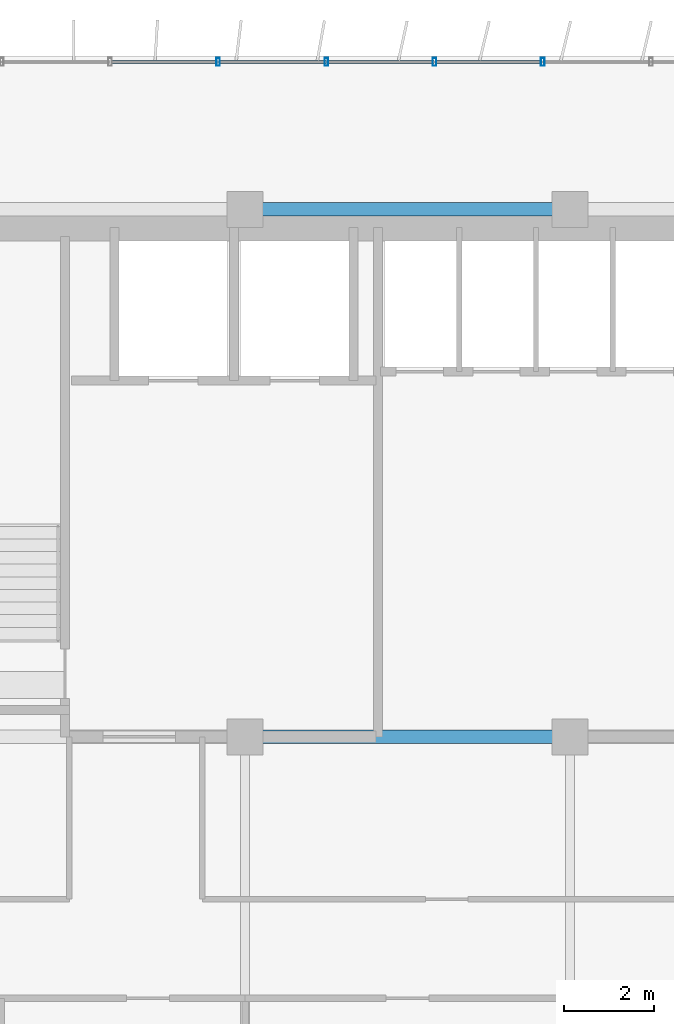
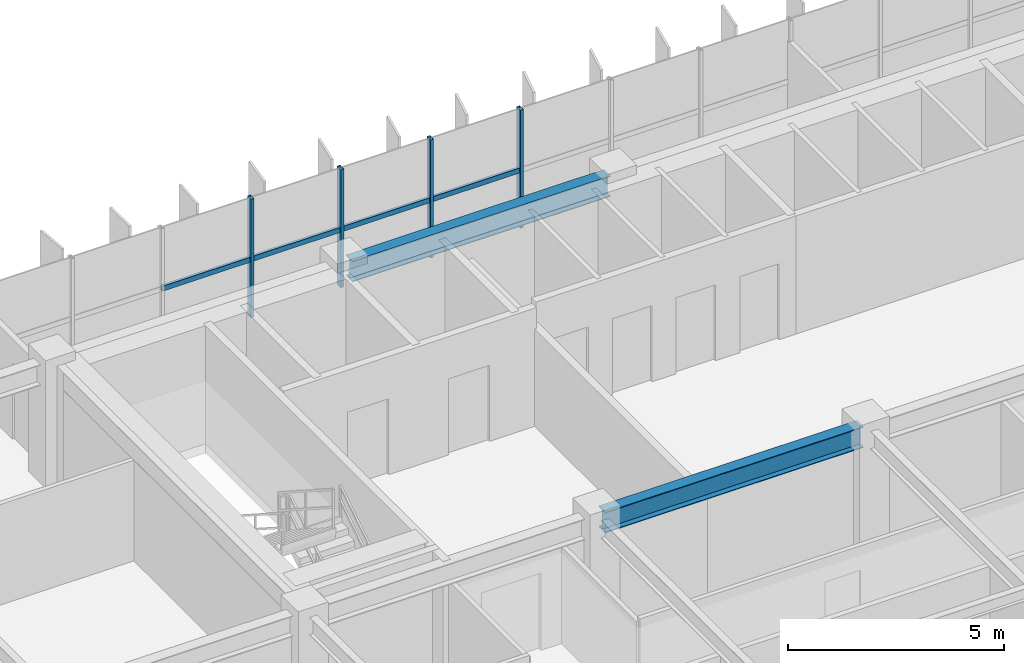
# One storey, part 6 of 22: 8 members, 2 beams, 1 element without a shape of its own.
"""IFC4 building model written with IfcOpenShell, lengths in metres."""

from ifc_helpers import new_model, si_unit, direction, frame, origin, origin_2d, place, context, subcontext, project, spatial, hollow_rectangle, i_section, extrude, source, transform, mapped, material, material_profile, profile_set, type_object, element, aggregate, save


model = new_model("IFC4")

# Units and contexts
model_context = context("Model", 3, precision=1e-05, world=origin(), true_north=direction((0.0, 1.0)))
body_context = subcontext(model_context, "Body", "Model", "MODEL_VIEW")
ifc_project = project(units=[si_unit("LENGTHUNIT", "METRE"), si_unit("AREAUNIT", "SQUARE_METRE"), si_unit("VOLUMEUNIT", "CUBIC_METRE"), si_unit("PLANEANGLEUNIT", "RADIAN"), si_unit("MASSUNIT", "GRAM", prefix="KILO")], contexts=[model_context])

# Site, building, storey
site_placement = place(None, origin())
site = spatial("IfcSite", under=ifc_project, at=site_placement, CompositionType="ELEMENT")
building_placement = place(site_placement, origin())
building = spatial("IfcBuilding", under=site, at=building_placement, Name="Trelvane Seafront Commons", CompositionType="ELEMENT")
storey_placement = place(building_placement, frame((0.0, 0.0, 121.300048828125)))
storey = spatial("IfcBuildingStorey", under=building, at=storey_placement, Name="L31", CompositionType="ELEMENT", Elevation=121.300048828125)

# Beams
ifc_material_1 = material(Name="Steel SM355 (S355)", Category="steel")
ifc_material_profile_1 = material_profile(ifc_material_1, i_section(OverallWidth=0.300048828125, OverallDepth=0.587890625, WebThickness=0.011962890625, FlangeThickness=0.02001953125, at=origin_2d()), Name="H-588x300x12x20")
ifc_profile_set_1 = profile_set([ifc_material_profile_1], Name="Steel SM355 (S355)")
beam_type = type_object("IfcBeamType", Name="STR-BM-H588", PredefinedType="BEAM", material=ifc_profile_set_1)
shared_shape_1 = source(origin(), body_context, "Body", "SweptSolid", [
    extrude(i_section(OverallWidth=0.300048828125, OverallDepth=0.587890625, WebThickness=0.011962890625, FlangeThickness=0.02001953125, at=origin_2d()), origin(), (0.0, 0.0, 1.0), 6.89990234375),
])
for number, where, z_axis, x_axis, name in (
    (1, (23.550048828125, 33.39990234375, 3.0458984375), (1.0, 0.0, 0.0), (0.0, 1.0, 0.0), "L31 Primary Girder G-22"),
    (2, (23.550048828125, 45.10009765625, 3.0458984375), (1.0, 0.0, 0.0), (0.0, 1.0, 0.0), "L31 Primary Girder G-31"),
):
    element("IfcBeam", number, at=place(storey_placement, frame(where, z_axis=z_axis, x_axis=x_axis)), inside=storey, type_object=beam_type, Name=name, PredefinedType="BEAM", context=body_context, shape_type="MappedRepresentation", body=[
        mapped(shared_shape_1, transform((0.0, 0.0, 0.0), x_axis=(1.0, 0.0, 0.0), y_axis=(0.0, 1.0, 0.0), z_axis=(0.0, 0.0, 1.0), scale=1.0)),
    ])

# Curtain wall, members
ifc_material_2 = material(Name="Anodised pale-silver aluminium", Category="aluminium")
curtain_wall_type = type_object("IfcCurtainWallType", Name="ARCH-CW4-SKYLOBBY", PredefinedType="NOTDEFINED", material=ifc_material_2)
curtain_wall_placement = place(storey_placement, origin())
curtain_wall = element("IfcCurtainWall", 3, at=curtain_wall_placement, inside=storey, type_object=curtain_wall_type, Name="CW-L31-0056", PredefinedType="NOTDEFINED")
ifc_material_profile_2 = material_profile(ifc_material_2, hollow_rectangle(XDim=0.074951171875, YDim=0.139892578125, WallThickness=0.00390625, at=origin_2d()), Name="TRAN-75x140x4")
ifc_profile_set_2 = profile_set([ifc_material_profile_2], Name="Anodised pale-silver aluminium")
member_type_1 = type_object("IfcMemberType", Name="ARCH-CW-TRAN-140", PredefinedType="USERDEFINED", material=ifc_profile_set_2)
shared_shape_2 = source(origin(), body_context, "Body", "SweptSolid", [
    extrude(hollow_rectangle(XDim=0.074951171875, YDim=0.139892578125, WallThickness=0.00390625, at=origin_2d()), origin(), (0.0, 0.0, 1.0), 2.3759765625),
])
member_1_placement = place(storey_placement, frame((20.412109375, 48.3701171875, 1.60302734375), z_axis=(1.0, 0.0, 0.0), x_axis=(0.0, 1.0, 0.0)))
member_1 = element("IfcMember", 4, at=member_1_placement, type_object=member_type_1, Name="CW-L31-0056-T02", ObjectType="TRANSOM", PredefinedType="USERDEFINED", context=body_context, shape_type="MappedRepresentation", body=[
    mapped(shared_shape_2, transform((0.0, 0.0, 0.0), x_axis=(1.0, 0.0, 0.0), y_axis=(0.0, 1.0, 0.0), z_axis=(0.0, 0.0, 1.0), scale=1.0)),
])
member_2_placement = place(storey_placement, frame((22.81201171875, 48.3701171875, 1.60302734375), z_axis=(1.0, 0.0, 0.0), x_axis=(0.0, 1.0, 0.0)))
member_2 = element("IfcMember", 5, at=member_2_placement, type_object=member_type_1, Name="CW-L31-0056-T03", ObjectType="TRANSOM", PredefinedType="USERDEFINED", context=body_context, shape_type="MappedRepresentation", body=[
    mapped(shared_shape_2, transform((0.0, 0.0, 0.0), x_axis=(1.0, 0.0, 0.0), y_axis=(0.0, 1.0, 0.0), z_axis=(0.0, 0.0, 1.0), scale=1.0)),
])
member_3_placement = place(storey_placement, frame((25.2119140625, 48.3701171875, 1.60302734375), z_axis=(1.0, 0.0, 0.0), x_axis=(0.0, 1.0, 0.0)))
member_3 = element("IfcMember", 6, at=member_3_placement, type_object=member_type_1, Name="CW-L31-0056-T04", ObjectType="TRANSOM", PredefinedType="USERDEFINED", context=body_context, shape_type="MappedRepresentation", body=[
    mapped(shared_shape_2, transform((0.0, 0.0, 0.0), x_axis=(1.0, 0.0, 0.0), y_axis=(0.0, 1.0, 0.0), z_axis=(0.0, 0.0, 1.0), scale=1.0)),
])
member_4_placement = place(storey_placement, frame((27.612060546875, 48.3701171875, 1.60302734375), z_axis=(1.0, 0.0, 0.0), x_axis=(0.0, 1.0, 0.0)))
member_4 = element("IfcMember", 7, at=member_4_placement, type_object=member_type_1, Name="CW-L31-0056-T05", ObjectType="TRANSOM", PredefinedType="USERDEFINED", context=body_context, shape_type="MappedRepresentation", body=[
    mapped(shared_shape_2, transform((0.0, 0.0, 0.0), x_axis=(1.0, 0.0, 0.0), y_axis=(0.0, 1.0, 0.0), z_axis=(0.0, 0.0, 1.0), scale=1.0)),
])
ifc_material_profile_3 = material_profile(ifc_material_2, hollow_rectangle(XDim=0.080078125, YDim=0.179931640625, WallThickness=0.00439453125, at=origin_2d()), Name="MULL-80x180x4.5")
ifc_profile_set_3 = profile_set([ifc_material_profile_3], Name="Anodised pale-silver aluminium")
member_type_2 = type_object("IfcMemberType", Name="ARCH-CW-MULL-180", PredefinedType="MULLION", material=ifc_profile_set_3)
shared_shape_3 = source(origin(), body_context, "Body", "SweptSolid", [
    extrude(hollow_rectangle(XDim=0.080078125, YDim=0.179931640625, WallThickness=0.00439453125, at=origin_2d()), origin(), (0.0, 0.0, 1.0), 3.33984375),
])
member_5_placement = place(storey_placement, frame((22.800048828125, 48.3701171875, 0.0), z_axis=(0.0, 0.0, 1.0), x_axis=(1.0, 0.0, 0.0)))
member_5 = element("IfcMember", 8, at=member_5_placement, type_object=member_type_2, Name="CW-L31-0056-M03", PredefinedType="MULLION", context=body_context, shape_type="MappedRepresentation", body=[
    mapped(shared_shape_3, transform((0.0, 0.0, 0.0), x_axis=(1.0, 0.0, 0.0), y_axis=(0.0, 1.0, 0.0), z_axis=(0.0, 0.0, 1.0), scale=1.0)),
])
member_6_placement = place(storey_placement, frame((25.199951171875, 48.3701171875, 0.0), z_axis=(0.0, 0.0, 1.0), x_axis=(1.0, 0.0, 0.0)))
member_6 = element("IfcMember", 9, at=member_6_placement, type_object=member_type_2, Name="CW-L31-0056-M04", PredefinedType="MULLION", context=body_context, shape_type="MappedRepresentation", body=[
    mapped(shared_shape_3, transform((0.0, 0.0, 0.0), x_axis=(1.0, 0.0, 0.0), y_axis=(0.0, 1.0, 0.0), z_axis=(0.0, 0.0, 1.0), scale=1.0)),
])
member_7_placement = place(storey_placement, frame((27.60009765625, 48.3701171875, 0.0), z_axis=(0.0, 0.0, 1.0), x_axis=(1.0, 0.0, 0.0)))
member_7 = element("IfcMember", 10, at=member_7_placement, type_object=member_type_2, Name="CW-L31-0056-M05", PredefinedType="MULLION", context=body_context, shape_type="MappedRepresentation", body=[
    mapped(shared_shape_3, transform((0.0, 0.0, 0.0), x_axis=(1.0, 0.0, 0.0), y_axis=(0.0, 1.0, 0.0), z_axis=(0.0, 0.0, 1.0), scale=1.0)),
])
member_8_placement = place(storey_placement, frame((30.0, 48.3701171875, 0.0), z_axis=(0.0, 0.0, 1.0), x_axis=(1.0, 0.0, 0.0)))
member_8 = element("IfcMember", 11, at=member_8_placement, type_object=member_type_2, Name="CW-L31-0056-M06", PredefinedType="MULLION", context=body_context, shape_type="MappedRepresentation", body=[
    mapped(shared_shape_3, transform((0.0, 0.0, 0.0), x_axis=(1.0, 0.0, 0.0), y_axis=(0.0, 1.0, 0.0), z_axis=(0.0, 0.0, 1.0), scale=1.0)),
])
aggregate(curtain_wall, [member_5, member_6, member_7, member_8, member_1, member_2, member_3, member_4])

save(model, "model.ifc")
